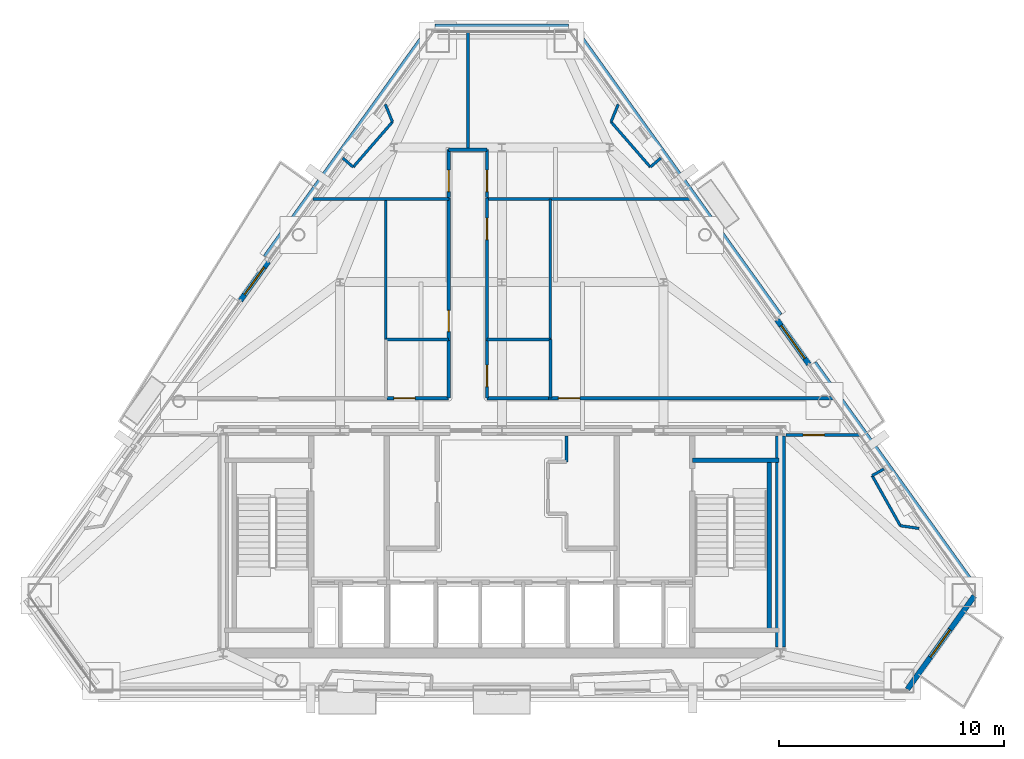
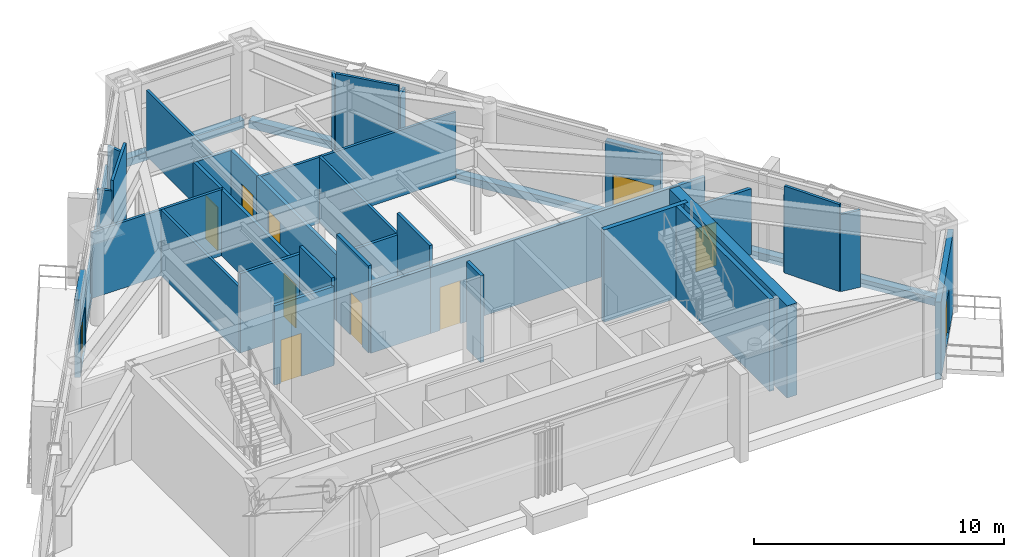
# One storey, part 8 of 11: 39 walls, 11 doors, 11 openings.
"""IFC4 building model written with IfcOpenShell, lengths in metres."""

from ifc_helpers import new_model, si_unit, direction, frame, frame_2d, origin, place, context, subcontext, project, spatial, rectangle, extrude, material, layer, layer_set, type_object, element, fill, save


model = new_model("IFC4")

# Units and contexts
model_context = context("Model", 3, precision=1e-05, world=origin(), true_north=direction((0.0, 1.0)))
body_context = subcontext(model_context, "Body", "Model", "MODEL_VIEW")
ifc_project = project(units=[si_unit("LENGTHUNIT", "METRE"), si_unit("AREAUNIT", "SQUARE_METRE"), si_unit("VOLUMEUNIT", "CUBIC_METRE"), si_unit("PLANEANGLEUNIT", "RADIAN"), si_unit("MASSUNIT", "GRAM", prefix="KILO")], contexts=[model_context])

# Site, building, storey
site_placement = place(None, origin())
site = spatial("IfcSite", under=ifc_project, at=site_placement, CompositionType="ELEMENT")
building_placement = place(site_placement, origin())
building = spatial("IfcBuilding", under=site, at=building_placement, Name="Talgorran Terracotta Tower", CompositionType="ELEMENT")
storey_placement = place(building_placement, frame((0.0, 0.0, 228.89990234375)))
storey = spatial("IfcBuildingStorey", under=building, at=storey_placement, Name="L60", CompositionType="ELEMENT", Elevation=228.89990234375)

# Wall, opening, door
ifc_material_1 = material(Name="Concrete C40/50", Category="concrete")
ifc_layer_1 = layer(ifc_material_1, 0.239990234375, Name="WT_BALCONY_SPAND")
ifc_layer_set_1 = layer_set([ifc_layer_1], Name="Concrete C40/50")
wall_type_1 = type_object("IfcWallType", Name="WT_BALCONY_SPAND", PredefinedType="STANDARD", material=ifc_layer_set_1)
wall_1_placement = place(storey_placement, frame((13.675048828125, -1.251953125, -0.014892578125), z_axis=(0.0, 0.0, 1.0), x_axis=(-0.583139062732, 0.812372349059, 0.0)))
wall_1 = element("IfcWall", 1, at=wall_1_placement, inside=storey, type_object=wall_type_1, Name="WL-L60-BALP-BAL-NE", PredefinedType="STANDARD", context=body_context, shape_type="SweptSolid", body=[
    extrude(rectangle(XDim=2.43994140625, YDim=0.239990234375, at=frame_2d((1.219970703125, 0.0))), origin(), (0.0, 0.0, 1.0), 3.778076171875),
])
opening_1_placement = place(wall_1_placement, frame((0.320068359375, 0.0, 0.014892578125)))
opening_1 = element("IfcOpeningElement", 2, at=opening_1_placement, cuts=wall_1, Name="Opening D-BAL-L60-1", PredefinedType="OPENING", context=body_context, shape_type="SweptSolid", body=[
    extrude(rectangle(XDim=1.806048828125, YDim=2.203951171875, at=frame_2d((0.89990234375, 1.10205078125))), frame((0.0, 0.1298828125, 0.0), z_axis=(0.0, -1.0, 0.0), x_axis=(1.0, 0.0, 0.0)), (0.0, 0.0, 1.0), 0.260009765625),
])
ifc_material_2 = material(Name="Thermally Broken Aluminium", Category="aluminium")
door_type_1 = type_object("IfcDoorType", Name="DT_BALC_1800", OperationType="SLIDING_TO_LEFT", PredefinedType="DOOR", material=ifc_material_2)
door_1_placement = place(opening_1_placement, origin())
door_1 = element("IfcDoor", 3, at=door_1_placement, inside=storey, type_object=door_type_1, Name="DR-L60-BAL-BAL-NE", OperationType="SLIDING_TO_LEFT", OverallHeight=2.199951171875, OverallWidth=1.800048828125, PredefinedType="DOOR", context=body_context, shape_type="SweptSolid", body=[
    extrude(rectangle(XDim=1.800048828125, YDim=2.199951171875, at=frame_2d((0.89990234375, 1.10009765625))), frame((0.0, 0.02490234375, 0.0), z_axis=(0.0, -1.0, 0.0), x_axis=(1.0, 0.0, 0.0)), (0.0, 0.0, 1.0), 0.050048828125),
])
fill(opening_1, door_1)

wall_2_placement = place(storey_placement, frame((-10.3896484375, 3.3251953125, -0.014892578125), z_axis=(0.0, 0.0, 1.0), x_axis=(-0.583092889468, -0.812405491274, 0.0)))
wall_2 = element("IfcWall", 4, at=wall_2_placement, inside=storey, type_object=wall_type_1, Name="WL-L60-BALP-BAL-NW", PredefinedType="STANDARD", context=body_context, shape_type="SweptSolid", body=[
    extrude(rectangle(XDim=2.139892578125, YDim=0.239990234375, at=frame_2d((1.06982421875, 0.0))), origin(), (0.0, 0.0, 1.0), 3.778076171875),
])
opening_2_placement = place(wall_2_placement, frame((0.320068359375, 0.0, 0.014892578125)))
opening_2 = element("IfcOpeningElement", 5, at=opening_2_placement, cuts=wall_2, Name="Opening D-BAL-L60-2", PredefinedType="OPENING", context=body_context, shape_type="SweptSolid", body=[
    extrude(rectangle(XDim=1.506, YDim=2.203951171875, at=frame_2d((0.75, 1.10205078125))), frame((0.0, 0.1298828125, 0.0), z_axis=(0.0, -1.0, 0.0), x_axis=(1.0, 0.0, 0.0)), (0.0, 0.0, 1.0), 0.260009765625),
])
door_type_2 = type_object("IfcDoorType", Name="DT_BALC_1500", OperationType="SLIDING_TO_RIGHT", PredefinedType="DOOR", material=ifc_material_2)
door_2_placement = place(opening_2_placement, origin())
door_2 = element("IfcDoor", 6, at=door_2_placement, inside=storey, type_object=door_type_2, Name="DR-L60-BAL-BAL-NW", OperationType="SLIDING_TO_RIGHT", OverallHeight=2.199951171875, OverallWidth=1.5, PredefinedType="DOOR", context=body_context, shape_type="SweptSolid", body=[
    extrude(rectangle(XDim=1.5, YDim=2.199951171875, at=frame_2d((0.75, 1.10009765625))), frame((0.0, 0.02490234375, 0.0), z_axis=(0.0, -1.0, 0.0), x_axis=(1.0, 0.0, 0.0)), (0.0, 0.0, 1.0), 0.050048828125),
])
fill(opening_2, door_2)

wall_3_placement = place(storey_placement, frame((18.05859375, -15.7197265625, -0.014892578125), z_axis=(0.0, 0.0, 1.0), x_axis=(0.583136392473, 0.812374265824, 0.0)))
wall_3 = element("IfcWall", 7, at=wall_3_placement, inside=storey, type_object=wall_type_1, Name="WL-L60-BALP-BAL-SE", PredefinedType="STANDARD", context=body_context, shape_type="SweptSolid", body=[
    extrude(rectangle(XDim=5.105712890625, YDim=0.239990234375, at=frame_2d((2.552734375, 0.0))), origin(), (0.0, 0.0, 1.0), 3.778076171875),
])
opening_3_placement = place(wall_3_placement, frame((1.7587890625, 0.0, 0.014892578125)))
opening_3 = element("IfcOpeningElement", 8, at=opening_3_placement, cuts=wall_3, Name="Opening D-BAL-L60-3", PredefinedType="OPENING", context=body_context, shape_type="SweptSolid", body=[
    extrude(rectangle(XDim=1.506, YDim=2.203951171875, at=frame_2d((0.75, 1.10205078125))), frame((0.0, 0.1298828125, 0.0), z_axis=(0.0, -1.0, 0.0), x_axis=(1.0, 0.0, 0.0)), (0.0, 0.0, 1.0), 0.260009765625),
])
door_3_placement = place(opening_3_placement, origin())
door_3 = element("IfcDoor", 9, at=door_3_placement, inside=storey, type_object=door_type_2, Name="DR-L60-BAL-BAL-SE", OperationType="SLIDING_TO_RIGHT", OverallHeight=2.199951171875, OverallWidth=1.5, PredefinedType="DOOR", context=body_context, shape_type="SweptSolid", body=[
    extrude(rectangle(XDim=1.5, YDim=2.199951171875, at=frame_2d((0.75, 1.10009765625))), frame((0.0, 0.02490234375, 0.0), z_axis=(0.0, -1.0, 0.0), x_axis=(1.0, 0.0, 0.0)), (0.0, 0.0, 1.0), 0.050048828125),
])
fill(opening_3, door_3)

# Walls
ifc_material_3 = material(Name="Concrete C50/60", Category="concrete")
ifc_layer_2 = layer(ifc_material_3, 0.199951171875, Name="WT_CORE_200")
ifc_layer_set_2 = layer_set([ifc_layer_2], Name="Concrete C50/60")
wall_type_2 = type_object("IfcWallType", Name="WT_CORE_200", PredefinedType="SOLIDWALL", material=ifc_layer_set_2)
wall_4_placement = place(storey_placement, frame((8.47998046875, -5.52001953125, 0.0), z_axis=(0.0, 0.0, 1.0), x_axis=(1.0, 0.0, 0.0)))
element("IfcWall", 10, at=wall_4_placement, inside=storey, type_object=wall_type_2, Name="WL-L60-CW-ST2-N", PredefinedType="SOLIDWALL", context=body_context, shape_type="SweptSolid", body=[
    extrude(rectangle(XDim=3.8701171875, YDim=0.199951171875, at=frame_2d((1.93505859375, 0.0))), origin(), (0.0, 0.0, 1.0), 4.5),
])
wall_5_placement = place(storey_placement, frame((11.89990234375, -13.10009765625, 0.0), z_axis=(0.0, 0.0, 1.0), x_axis=(0.0, 1.0, 0.0)))
element("IfcWall", 11, at=wall_5_placement, inside=storey, type_object=wall_type_2, Name="WL-L60-CW-ST2-E", PredefinedType="SOLIDWALL", context=body_context, shape_type="SweptSolid", body=[
    extrude(rectangle(XDim=7.580078125, YDim=0.199951171875, at=frame_2d((3.7900390625, 0.0))), origin(), (0.0, 0.0, 1.0), 4.5),
])
ifc_material_4 = material(Name="Concrete C65/80", Category="concrete")
ifc_layer_3 = layer(ifc_material_4, 0.449951171875, Name="WT_CORE_EXT")
ifc_layer_set_3 = layer_set([ifc_layer_3], Name="Concrete C65/80")
wall_type_3 = type_object("IfcWallType", Name="WT_CORE_EXT", PredefinedType="SHEAR", material=ifc_layer_set_3)
wall_6_placement = place(storey_placement, frame((12.39990234375, -13.85009765625, 0.0), z_axis=(0.0, 0.0, 1.0), x_axis=(0.0, 1.0, 0.0)))
element("IfcWall", 12, at=wall_6_placement, inside=storey, type_object=wall_type_3, Name="WL-L60-CW-OUT-E", PredefinedType="SHEAR", context=body_context, shape_type="SweptSolid", body=[
    extrude(rectangle(XDim=9.400146484375, YDim=0.449951171875, at=frame_2d((4.7001953125, 0.0))), origin(), (0.0, 0.0, 1.0), 4.5),
])
ifc_material_5 = material(Name="Fire-Rated Steel Stud Plasterboard", Category="steel")
ifc_layer_4 = layer(ifc_material_5, 0.14990234375, Name="WT_FIRE_150")
ifc_layer_set_4 = layer_set([ifc_layer_4], Name="Fire-Rated Steel Stud Plasterboard")
wall_type_4 = type_object("IfcWallType", Name="WT_FIRE_150", PredefinedType="PARTITIONING", material=ifc_layer_set_4)
wall_7_placement = place(storey_placement, frame((2.8798828125, -5.60009765625, 0.0), z_axis=(0.0, 0.0, 1.0), x_axis=(0.0, 1.0, 0.0)))
element("IfcWall", 13, at=wall_7_placement, inside=storey, type_object=wall_type_4, Name="WL-L60-CW-V-E3E", PredefinedType="PARTITIONING", context=body_context, shape_type="SweptSolid", body=[
    extrude(rectangle(XDim=1.150146484375, YDim=0.14990234375, at=frame_2d((0.5751953125, 0.0))), origin(), (0.0, 0.0, 1.0), 4.2451171875),
])

# Wall, opening, door
wall_8_placement = place(storey_placement, frame((2.080078125, -2.760009765625, 0.0), z_axis=(0.0, 0.0, 1.0), x_axis=(1.0, 0.0, 0.0)))
wall_8 = element("IfcWall", 14, at=wall_8_placement, inside=storey, type_object=wall_type_4, Name="WL-L60-W-L60-R09", PredefinedType="PARTITIONING", context=body_context, shape_type="SweptSolid", body=[
    extrude(rectangle(XDim=12.67724609375, YDim=0.14990234375, at=frame_2d((6.338623046875, 0.0))), origin(), (0.0, 0.0, 1.0), 3.22021484375),
])
opening_4_placement = place(wall_8_placement, frame((0.439697265625, 0.0, 0.0)))
opening_4 = element("IfcOpeningElement", 15, at=opening_4_placement, cuts=wall_8, Name="Opening DR-L60-R07", PredefinedType="OPENING", context=body_context, shape_type="SweptSolid", body=[
    extrude(rectangle(XDim=0.955951171875, YDim=2.10409765625, at=frame_2d((0.47509765625, 1.052001953125))), frame((0.0, 0.0849609375, 0.0), z_axis=(0.0, -1.0, 0.0), x_axis=(1.0, 0.0, 0.0)), (0.0, 0.0, 1.0), 0.169921875),
])
ifc_material_6 = material(Name="Fire-Rated Timber Core", Category="wood")
door_type_3 = type_object("IfcDoorType", Name="DT_FIRE_950", OperationType="NOTDEFINED", PredefinedType="DOOR", material=ifc_material_6)
door_4_placement = place(opening_4_placement, origin())
door_4 = element("IfcDoor", 16, at=door_4_placement, inside=storey, type_object=door_type_3, Name="DR-L60-R07", OperationType="SINGLE_SWING_LEFT", OverallHeight=2.10009765625, OverallWidth=0.949951171875, PredefinedType="DOOR", context=body_context, shape_type="SweptSolid", body=[
    extrude(rectangle(XDim=0.949951171875, YDim=2.10009765625, at=frame_2d((0.47509765625, 1.050048828125))), frame((0.0, 0.02490234375, 0.0), z_axis=(0.0, -1.0, 0.0), x_axis=(1.0, 0.0, 0.0)), (0.0, 0.0, 1.0), 0.050048828125),
])
fill(opening_4, door_4)

wall_9_placement = place(storey_placement, frame((-2.360107421875, -0.199951171875, 0.0), z_axis=(0.0, 0.0, 1.0), x_axis=(0.0, 1.0, 0.0)))
wall_9 = element("IfcWall", 17, at=wall_9_placement, inside=storey, type_object=wall_type_4, Name="WL-L60-W-L60-R08", PredefinedType="PARTITIONING", context=body_context, shape_type="SweptSolid", body=[
    extrude(rectangle(XDim=6.35986328125, YDim=0.14990234375, at=frame_2d((3.179931640625, 0.0))), origin(), (0.0, 0.0, 1.0), 3.22021484375),
])
opening_5_placement = place(wall_9_placement, frame((0.3984375, 0.0, 0.0)))
opening_5 = element("IfcOpeningElement", 18, at=opening_5_placement, cuts=wall_9, Name="Opening DR-L60-R06", PredefinedType="OPENING", context=body_context, shape_type="SweptSolid", body=[
    extrude(rectangle(XDim=0.955951171875, YDim=2.10409765625, at=frame_2d((0.47509765625, 1.052001953125))), frame((0.0, 0.0849609375, 0.0), z_axis=(0.0, -1.0, 0.0), x_axis=(1.0, 0.0, 0.0)), (0.0, 0.0, 1.0), 0.169921875),
])
door_5_placement = place(opening_5_placement, origin())
door_5 = element("IfcDoor", 19, at=door_5_placement, inside=storey, type_object=door_type_3, Name="DR-L60-R06", OperationType="SINGLE_SWING_RIGHT", OverallHeight=2.10009765625, OverallWidth=0.949951171875, PredefinedType="DOOR", context=body_context, shape_type="SweptSolid", body=[
    extrude(rectangle(XDim=0.949951171875, YDim=2.10009765625, at=frame_2d((0.47509765625, 1.050048828125))), frame((0.0, 0.02490234375, 0.0), z_axis=(0.0, -1.0, 0.0), x_axis=(1.0, 0.0, 0.0)), (0.0, 0.0, 1.0), 0.050048828125),
])
fill(opening_5, door_5)

wall_10_placement = place(storey_placement, frame((-0.659912109375, -0.199951171875, 0.0), z_axis=(0.0, 0.0, 1.0), x_axis=(0.0, 1.0, 0.0)))
wall_10 = element("IfcWall", 20, at=wall_10_placement, inside=storey, type_object=wall_type_4, Name="WL-L60-W-L60-R10", PredefinedType="PARTITIONING", context=body_context, shape_type="SweptSolid", body=[
    extrude(rectangle(XDim=6.35986328125, YDim=0.14990234375, at=frame_2d((3.179931640625, 0.0))), origin(), (0.0, 0.0, 1.0), 3.22021484375),
])
opening_6_placement = place(wall_10_placement, frame((4.49462890625, 0.0, 0.0)))
opening_6 = element("IfcOpeningElement", 21, at=opening_6_placement, cuts=wall_10, Name="Opening DR-L60-R08", PredefinedType="OPENING", context=body_context, shape_type="SweptSolid", body=[
    extrude(rectangle(XDim=0.955951171875, YDim=2.10409765625, at=frame_2d((0.47509765625, 1.052001953125))), frame((0.0, 0.0849609375, 0.0), z_axis=(0.0, -1.0, 0.0), x_axis=(1.0, 0.0, 0.0)), (0.0, 0.0, 1.0), 0.169921875),
])
door_6_placement = place(opening_6_placement, origin())
door_6 = element("IfcDoor", 22, at=door_6_placement, inside=storey, type_object=door_type_3, Name="DR-L60-R08", OperationType="SINGLE_SWING_RIGHT", OverallHeight=2.10009765625, OverallWidth=0.949951171875, PredefinedType="DOOR", context=body_context, shape_type="SweptSolid", body=[
    extrude(rectangle(XDim=0.949951171875, YDim=2.10009765625, at=frame_2d((0.47509765625, 1.050048828125))), frame((0.0, 0.02490234375, 0.0), z_axis=(0.0, -1.0, 0.0), x_axis=(1.0, 0.0, 0.0)), (0.0, 0.0, 1.0), 0.050048828125),
])
fill(opening_6, door_6)

wall_11_placement = place(storey_placement, frame((12.652099609375, -4.39990234375, 0.0), z_axis=(0.0, 0.0, 1.0), x_axis=(1.0, 0.0, 0.0)))
wall_11 = element("IfcWall", 23, at=wall_11_placement, inside=storey, type_object=wall_type_4, Name="WL-L60-W-L60-R02", PredefinedType="PARTITIONING", context=body_context, shape_type="SweptSolid", body=[
    extrude(rectangle(XDim=3.282470703125, YDim=0.14990234375, at=frame_2d((1.64111328125, 0.0))), origin(), (0.0, 0.0, 1.0), 3.22021484375),
])
opening_7_placement = place(wall_11_placement, frame((0.763427734375, 0.0, 0.0)))
opening_7 = element("IfcOpeningElement", 24, at=opening_7_placement, cuts=wall_11, Name="Opening DR-L60-R02", PredefinedType="OPENING", context=body_context, shape_type="SweptSolid", body=[
    extrude(rectangle(XDim=0.955951171875, YDim=2.10409765625, at=frame_2d((0.47509765625, 1.052001953125))), frame((0.0, 0.0849609375, 0.0), z_axis=(0.0, -1.0, 0.0), x_axis=(1.0, 0.0, 0.0)), (0.0, 0.0, 1.0), 0.169921875),
])
door_7_placement = place(opening_7_placement, origin())
door_7 = element("IfcDoor", 25, at=door_7_placement, inside=storey, type_object=door_type_3, Name="DR-L60-R02", OperationType="SINGLE_SWING_RIGHT", OverallHeight=2.10009765625, OverallWidth=0.949951171875, PredefinedType="DOOR", context=body_context, shape_type="SweptSolid", body=[
    extrude(rectangle(XDim=0.949951171875, YDim=2.10009765625, at=frame_2d((0.47509765625, 1.050048828125))), frame((0.0, 0.02490234375, 0.0), z_axis=(0.0, -1.0, 0.0), x_axis=(1.0, 0.0, 0.0)), (0.0, 0.0, 1.0), 0.050048828125),
])
fill(opening_7, door_7)

# Wall
wall_12_placement = place(storey_placement, frame((-0.659912109375, -2.760009765625, 0.0), z_axis=(0.0, 0.0, 1.0), x_axis=(1.0, 0.0, 0.0)))
element("IfcWall", 26, at=wall_12_placement, inside=storey, type_object=wall_type_4, Name="WL-L60-W-L60-R04", PredefinedType="PARTITIONING", context=body_context, shape_type="SweptSolid", body=[
    extrude(rectangle(XDim=2.73779296875, YDim=0.14990234375, at=frame_2d((1.368896484375, 0.0))), origin(), (0.0, 0.0, 1.0), 3.22021484375),
])

# Wall, opening, door
wall_13_placement = place(storey_placement, frame((-5.097900390625, -2.760009765625, 0.0), z_axis=(0.0, 0.0, 1.0), x_axis=(1.0, 0.0, 0.0)))
wall_13 = element("IfcWall", 27, at=wall_13_placement, inside=storey, type_object=wall_type_4, Name="WL-L60-W-L60-R05", PredefinedType="PARTITIONING", context=body_context, shape_type="SweptSolid", body=[
    extrude(rectangle(XDim=2.73779296875, YDim=0.14990234375, at=frame_2d((1.368896484375, 0.0))), origin(), (0.0, 0.0, 1.0), 3.864501953125),
])
opening_8_placement = place(wall_13_placement, frame((0.29296875, 0.0, 0.0)))
opening_8 = element("IfcOpeningElement", 28, at=opening_8_placement, cuts=wall_13, Name="Opening DR-L60-R04", PredefinedType="OPENING", context=body_context, shape_type="SweptSolid", body=[
    extrude(rectangle(XDim=0.955951171875, YDim=2.10409765625, at=frame_2d((0.47509765625, 1.052001953125))), frame((0.0, 0.0849609375, 0.0), z_axis=(0.0, -1.0, 0.0), x_axis=(1.0, 0.0, 0.0)), (0.0, 0.0, 1.0), 0.169921875),
])
door_8_placement = place(opening_8_placement, origin())
door_8 = element("IfcDoor", 29, at=door_8_placement, inside=storey, type_object=door_type_3, Name="DR-L60-R04", OperationType="SINGLE_SWING_RIGHT", OverallHeight=2.10009765625, OverallWidth=0.949951171875, PredefinedType="DOOR", context=body_context, shape_type="SweptSolid", body=[
    extrude(rectangle(XDim=0.949951171875, YDim=2.10009765625, at=frame_2d((0.47509765625, 1.050048828125))), frame((0.0, 0.02490234375, 0.0), z_axis=(0.0, -1.0, 0.0), x_axis=(1.0, 0.0, 0.0)), (0.0, 0.0, 1.0), 0.050048828125),
])
fill(opening_8, door_8)

wall_14_placement = place(storey_placement, frame((-0.659912109375, -2.760009765625, 0.0), z_axis=(0.0, 0.0, 1.0), x_axis=(0.0, 1.0, 0.0)))
wall_14 = element("IfcWall", 30, at=wall_14_placement, inside=storey, type_object=wall_type_4, Name="WL-L60-W-L60-R03", PredefinedType="PARTITIONING", context=body_context, shape_type="SweptSolid", body=[
    extrude(rectangle(XDim=2.55810546875, YDim=0.14990234375, at=frame_2d((1.279052734375, 0.0))), origin(), (0.0, 0.0, 1.0), 4.2451171875),
])
opening_9_placement = place(wall_14_placement, frame((0.51220703125, 0.0, 0.0)))
opening_9 = element("IfcOpeningElement", 31, at=opening_9_placement, cuts=wall_14, Name="Opening DR-L60-R03", PredefinedType="OPENING", context=body_context, shape_type="SweptSolid", body=[
    extrude(rectangle(XDim=0.955951171875, YDim=2.10409765625, at=frame_2d((0.47509765625, 1.052001953125))), frame((0.0, 0.0849609375, 0.0), z_axis=(0.0, -1.0, 0.0), x_axis=(1.0, 0.0, 0.0)), (0.0, 0.0, 1.0), 0.169921875),
])
door_9_placement = place(opening_9_placement, origin())
door_9 = element("IfcDoor", 32, at=door_9_placement, inside=storey, type_object=door_type_3, Name="DR-L60-R03", OperationType="SINGLE_SWING_LEFT", OverallHeight=2.10009765625, OverallWidth=0.949951171875, PredefinedType="DOOR", context=body_context, shape_type="SweptSolid", body=[
    extrude(rectangle(XDim=0.949951171875, YDim=2.10009765625, at=frame_2d((0.47509765625, 1.050048828125))), frame((0.0, 0.02490234375, 0.0), z_axis=(0.0, -1.0, 0.0), x_axis=(1.0, 0.0, 0.0)), (0.0, 0.0, 1.0), 0.050048828125),
])
fill(opening_9, door_9)

# Wall
wall_15_placement = place(storey_placement, frame((-2.360107421875, -2.760009765625, 0.0), z_axis=(0.0, 0.0, 1.0), x_axis=(0.0, 1.0, 0.0)))
element("IfcWall", 33, at=wall_15_placement, inside=storey, type_object=wall_type_4, Name="WL-L60-W-L60-R06", PredefinedType="PARTITIONING", context=body_context, shape_type="SweptSolid", body=[
    extrude(rectangle(XDim=2.55810546875, YDim=0.14990234375, at=frame_2d((1.279052734375, 0.0))), origin(), (0.0, 0.0, 1.0), 4.2451171875),
])

# Wall, opening, door
wall_16_placement = place(storey_placement, frame((-2.360107421875, 6.162109375, 0.0), z_axis=(0.0, 0.0, 1.0), x_axis=(0.0, 1.0, 0.0)))
wall_16 = element("IfcWall", 34, at=wall_16_placement, inside=storey, type_object=wall_type_4, Name="WL-L60-W-L60-R11", PredefinedType="PARTITIONING", context=body_context, shape_type="SweptSolid", body=[
    extrude(rectangle(XDim=2.137939453125, YDim=0.14990234375, at=frame_2d((1.06884765625, 0.0))), origin(), (0.0, 0.0, 1.0), 3.22021484375),
])
opening_10_placement = place(wall_16_placement, frame((0.275390625, 0.0, 0.0)))
opening_10 = element("IfcOpeningElement", 35, at=opening_10_placement, cuts=wall_16, Name="Opening DR-L60-R09", PredefinedType="OPENING", context=body_context, shape_type="SweptSolid", body=[
    extrude(rectangle(XDim=0.955951171875, YDim=2.10409765625, at=frame_2d((0.47509765625, 1.052001953125))), frame((0.0, 0.0849609375, 0.0), z_axis=(0.0, -1.0, 0.0), x_axis=(1.0, 0.0, 0.0)), (0.0, 0.0, 1.0), 0.169921875),
])
door_10_placement = place(opening_10_placement, origin())
door_10 = element("IfcDoor", 36, at=door_10_placement, inside=storey, type_object=door_type_3, Name="DR-L60-R09", OperationType="SINGLE_SWING_LEFT", OverallHeight=2.10009765625, OverallWidth=0.949951171875, PredefinedType="DOOR", context=body_context, shape_type="SweptSolid", body=[
    extrude(rectangle(XDim=0.949951171875, YDim=2.10009765625, at=frame_2d((0.47509765625, 1.050048828125))), frame((0.0, 0.02490234375, 0.0), z_axis=(0.0, -1.0, 0.0), x_axis=(1.0, 0.0, 0.0)), (0.0, 0.0, 1.0), 0.050048828125),
])
fill(opening_10, door_10)

wall_17_placement = place(storey_placement, frame((-0.659912109375, 6.162109375, 0.0), z_axis=(0.0, 0.0, 1.0), x_axis=(0.0, 1.0, 0.0)))
wall_17 = element("IfcWall", 37, at=wall_17_placement, inside=storey, type_object=wall_type_4, Name="WL-L60-W-L60-R14", PredefinedType="PARTITIONING", context=body_context, shape_type="SweptSolid", body=[
    extrude(rectangle(XDim=2.137939453125, YDim=0.14990234375, at=frame_2d((1.06884765625, 0.0))), origin(), (0.0, 0.0, 1.0), 3.22021484375),
])
opening_11_placement = place(wall_17_placement, frame((0.275390625, 0.0, 0.0)))
opening_11 = element("IfcOpeningElement", 38, at=opening_11_placement, cuts=wall_17, Name="Opening DR-L60-R10", PredefinedType="OPENING", context=body_context, shape_type="SweptSolid", body=[
    extrude(rectangle(XDim=0.955951171875, YDim=2.10409765625, at=frame_2d((0.47509765625, 1.052001953125))), frame((0.0, 0.0849609375, 0.0), z_axis=(0.0, -1.0, 0.0), x_axis=(1.0, 0.0, 0.0)), (0.0, 0.0, 1.0), 0.169921875),
])
door_11_placement = place(opening_11_placement, origin())
door_11 = element("IfcDoor", 39, at=door_11_placement, inside=storey, type_object=door_type_3, Name="DR-L60-R10", OperationType="SINGLE_SWING_RIGHT", OverallHeight=2.10009765625, OverallWidth=0.949951171875, PredefinedType="DOOR", context=body_context, shape_type="SweptSolid", body=[
    extrude(rectangle(XDim=0.949951171875, YDim=2.10009765625, at=frame_2d((0.47509765625, 1.050048828125))), frame((0.0, 0.02490234375, 0.0), z_axis=(0.0, -1.0, 0.0), x_axis=(1.0, 0.0, 0.0)), (0.0, 0.0, 1.0), 0.050048828125),
])
fill(opening_11, door_11)

# Walls
wall_18_placement = place(storey_placement, frame((-2.360107421875, 8.300048828125, 0.0), z_axis=(0.0, 0.0, 1.0), x_axis=(1.0, 0.0, 0.0)))
element("IfcWall", 40, at=wall_18_placement, inside=storey, type_object=wall_type_4, Name="WL-L60-W-L60-R12", PredefinedType="PARTITIONING", context=body_context, shape_type="SweptSolid", body=[
    extrude(rectangle(XDim=1.7001953125, YDim=0.14990234375, at=frame_2d((0.85009765625, 0.0))), origin(), (0.0, 0.0, 1.0), 3.22021484375),
])
ifc_layer_5 = layer(ifc_material_1, 0.219970703125, Name="WT_PARAPET_RC")
ifc_layer_set_5 = layer_set([ifc_layer_5], Name="Concrete C40/50")
wall_type_5 = type_object("IfcWallType", Name="WT_PARAPET_RC", PredefinedType="PARAPET", material=ifc_layer_set_5)
wall_19_placement = place(storey_placement, frame((21.119140625, -11.348876953125, -0.199951171875), z_axis=(0.0, 0.0, 1.0), x_axis=(-0.583115229509, 0.81238945655, 0.0)))
element("IfcWall", 41, at=wall_19_placement, inside=storey, type_object=wall_type_5, Name="L60 Striped Portal Precast Cornice F40", PredefinedType="PARAPET", context=body_context, shape_type="SweptSolid", body=[
    extrude(rectangle(XDim=12.453369140625, YDim=0.360107421875, at=frame_2d((6.2265625, 0.0))), origin(), (0.0, 0.0, 1.0), 0.380126953125),
])
wall_20_placement = place(storey_placement, frame((12.32958984375, 0.896484375, -0.199951171875), z_axis=(0.0, 0.0, 1.0), x_axis=(-0.583103601817, 0.812397802526, 0.0)))
element("IfcWall", 42, at=wall_20_placement, inside=storey, type_object=wall_type_5, Name="L60 Striped Portal Precast Cornice F41", PredefinedType="PARAPET", context=body_context, shape_type="SweptSolid", body=[
    extrude(rectangle(XDim=15.573974609375, YDim=0.360107421875, at=frame_2d((7.787109375, 0.0))), origin(), (0.0, 0.0, 1.0), 0.380126953125),
])
wall_21_placement = place(storey_placement, frame((2.96826171875, 13.712890625, -0.199951171875), z_axis=(0.0, 0.0, 1.0), x_axis=(-1.0, 0.0, 0.0)))
element("IfcWall", 43, at=wall_21_placement, inside=storey, type_object=wall_type_5, Name="L60 Striped Portal Precast Cornice F4", PredefinedType="PARAPET", context=body_context, shape_type="SweptSolid", body=[
    extrude(rectangle(XDim=5.9365234375, YDim=0.360107421875, at=frame_2d((2.96826171875, 0.0))), origin(), (0.0, 0.0, 1.0), 0.380126953125),
])
wall_22_placement = place(storey_placement, frame((-3.248291015625, 13.548828125, -0.199951171875), z_axis=(0.0, 0.0, 1.0), x_axis=(-0.583104007924, -0.81239751104, 0.0)))
element("IfcWall", 44, at=wall_22_placement, inside=storey, type_object=wall_type_5, Name="L60 Striped Portal Precast Cornice F60", PredefinedType="PARAPET", context=body_context, shape_type="SweptSolid", body=[
    extrude(rectangle(XDim=12.3798828125, YDim=0.360107421875, at=frame_2d((6.18994140625, 0.0))), origin(), (0.0, 0.0, 1.0), 0.380126953125),
])
ifc_material_7 = material(Name="Insulated Steel Stud Plasterboard", Category="steel")
ifc_layer_6 = layer(ifc_material_7, 0.1201171875, Name="WT_PART_120")
ifc_layer_set_6 = layer_set([ifc_layer_6], Name="Insulated Steel Stud Plasterboard")
wall_type_6 = type_object("IfcWallType", Name="WT_PART_120", PredefinedType="PARTITIONING", material=ifc_layer_set_6)
for number, where, z_axis, x_axis, name in (
    (45, (-5.159912109375, -0.199951171875, 0.0), (0.0, 0.0, 1.0), (0.0, 1.0, 0.0), "WL-L60-W-L60-R19"),
    (46, (2.159912109375, -0.199951171875, 0.0), (0.0, 0.0, 1.0), (0.0, 1.0, 0.0), "WL-L60-W-L60-R22"),
):
    element("IfcWall", number, at=place(storey_placement, frame(where, z_axis=z_axis, x_axis=x_axis)), inside=storey, type_object=wall_type_6, Name=name, PredefinedType="PARTITIONING", context=body_context, shape_type="SweptSolid", body=[
        extrude(rectangle(XDim=6.300048828125, YDim=0.1201171875, at=frame_2d((3.14990234375, 0.0))), origin(), (0.0, 0.0, 1.0), 3.22021484375),
    ])
wall_23_placement = place(storey_placement, frame((-0.659912109375, 6.10009765625, 0.0), z_axis=(0.0, 0.0, 1.0), x_axis=(1.0, 0.0, 0.0)))
element("IfcWall", 47, at=wall_23_placement, inside=storey, type_object=wall_type_6, Name="WL-L60-W-L60-R23", PredefinedType="PARTITIONING", context=body_context, shape_type="SweptSolid", body=[
    extrude(rectangle(XDim=9.057861328125, YDim=0.1201171875, at=frame_2d((4.52880859375, 0.0))), origin(), (0.0, 0.0, 1.0), 3.22021484375),
])
wall_24_placement = place(storey_placement, frame((-1.5, 8.300048828125, 0.0), z_axis=(0.0, 0.0, 1.0), x_axis=(0.0, 1.0, 0.0)))
element("IfcWall", 48, at=wall_24_placement, inside=storey, type_object=wall_type_6, Name="WL-L60-W-L60-R25", PredefinedType="PARTITIONING", context=body_context, shape_type="SweptSolid", body=[
    extrude(rectangle(XDim=5.2529296875, YDim=0.1201171875, at=frame_2d((2.62646484375, 0.0))), origin(), (0.0, 0.0, 1.0), 3.22021484375),
])
wall_25_placement = place(storey_placement, frame((-8.39794921875, 6.10009765625, 0.0), z_axis=(0.0, 0.0, 1.0), x_axis=(1.0, 0.0, 0.0)))
element("IfcWall", 49, at=wall_25_placement, inside=storey, type_object=wall_type_6, Name="WL-L60-W-L60-R20", PredefinedType="PARTITIONING", context=body_context, shape_type="SweptSolid", body=[
    extrude(rectangle(XDim=6.037841796875, YDim=0.1201171875, at=frame_2d((3.01904296875, 0.0))), origin(), (0.0, 0.0, 1.0), 3.22021484375),
])
for number, where, z_axis, x_axis, name in (
    (50, (-4.865478515625, 9.536865234375, 0.0), (0.0, 0.0, 1.0), (-0.656083508216, -0.754688300059, 0.0), "WL-L60-BW-L60-14"),
    (51, (6.614990234375, 7.5244140625, 0.0), (0.0, 0.0, 1.0), (-0.656083508216, 0.754688300059, 0.0), "WL-L60-BW-L60-17"),
):
    element("IfcWall", number, at=place(storey_placement, frame(where, z_axis=z_axis, x_axis=x_axis)), inside=storey, type_object=wall_type_6, Name=name, PredefinedType="PARTITIONING", context=body_context, shape_type="SweptSolid", body=[
        extrude(rectangle(XDim=2.66650390625, YDim=0.1201171875, at=frame_2d((1.333251953125, 0.0))), origin(), (0.0, 0.0, 1.0), 4.2451171875),
    ])
wall_26_placement = place(storey_placement, frame((17.74169921875, -8.438720703125, 0.0), z_axis=(0.0, 0.0, 1.0), x_axis=(-0.490329227995, 0.87153729018, 0.0)))
element("IfcWall", 52, at=wall_26_placement, inside=storey, type_object=wall_type_6, Name="WL-L60-BW-L60-12", PredefinedType="PARTITIONING", context=body_context, shape_type="SweptSolid", body=[
    extrude(rectangle(XDim=2.557373046875, YDim=0.1201171875, at=frame_2d((1.27880859375, 0.0))), origin(), (0.0, 0.0, 1.0), 4.2451171875),
])
wall_27_placement = place(storey_placement, frame((18.57861328125, -8.56201171875, 0.0), z_axis=(0.0, 0.0, 1.0), x_axis=(-0.989322448528, 0.145743242855, 0.0)))
element("IfcWall", 53, at=wall_27_placement, inside=storey, type_object=wall_type_6, Name="WL-L60-BW-L60-11", PredefinedType="PARTITIONING", context=body_context, shape_type="SweptSolid", body=[
    extrude(rectangle(XDim=0.845947265625, YDim=0.1201171875, at=frame_2d((0.4228515625, 0.0))), origin(), (0.0, 0.0, 1.0), 3.76318359375),
])
for number, where, z_axis, x_axis, name in (
    (54, (-5.18359375, 10.315185546875, 0.0), (0.0, 0.0, 1.0), (0.378338869407, -0.92566716475, 0.0), "WL-L60-BW-L60-13"),
    (55, (4.865478515625, 9.536865234375, 0.0), (0.0, 0.0, 1.0), (0.378338869407, 0.92566716475, 0.0), "WL-L60-BW-L60-18"),
):
    element("IfcWall", number, at=place(storey_placement, frame(where, z_axis=z_axis, x_axis=x_axis)), inside=storey, type_object=wall_type_6, Name=name, PredefinedType="PARTITIONING", context=body_context, shape_type="SweptSolid", body=[
        extrude(rectangle(XDim=0.8408203125, YDim=0.1201171875, at=frame_2d((0.42041015625, 0.0))), origin(), (0.0, 0.0, 1.0), 3.76318359375),
    ])
for number, where, z_axis, x_axis, name in (
    (56, (-6.614990234375, 7.5244140625, 0.0), (0.0, 0.0, 1.0), (-0.754777719291, 0.655980635737, 0.0), "WL-L60-BW-L60-15"),
    (57, (7.07568359375, 7.9248046875, 0.0), (0.0, 0.0, 1.0), (-0.754777719291, -0.655980635737, 0.0), "WL-L60-BW-L60-16"),
):
    element("IfcWall", number, at=place(storey_placement, frame(where, z_axis=z_axis, x_axis=x_axis)), inside=storey, type_object=wall_type_6, Name=name, PredefinedType="PARTITIONING", context=body_context, shape_type="SweptSolid", body=[
        extrude(rectangle(XDim=0.6103515625, YDim=0.1201171875, at=frame_2d((0.30517578125, 0.0))), origin(), (0.0, 0.0, 1.0), 3.76318359375),
    ])
wall_28_placement = place(storey_placement, frame((16.48779296875, -6.2099609375, 0.0), z_axis=(0.0, 0.0, 1.0), x_axis=(0.871532028392, 0.49033858046, 0.0)))
element("IfcWall", 58, at=wall_28_placement, inside=storey, type_object=wall_type_6, Name="WL-L60-BW-L60-10", PredefinedType="PARTITIONING", context=body_context, shape_type="SweptSolid", body=[
    extrude(rectangle(XDim=0.599365234375, YDim=0.1201171875, at=frame_2d((0.2998046875, 0.0))), origin(), (0.0, 0.0, 1.0), 3.76318359375),
])
ifc_material_8 = material(Name="Moisture-Resistant Stud Wall")
ifc_layer_7 = layer(ifc_material_8, 0.135009765625, Name="WT_PART_135")
ifc_layer_set_7 = layer_set([ifc_layer_7], Name="Moisture-Resistant Stud Wall")
wall_type_7 = type_object("IfcWallType", Name="WT_PART_135", PredefinedType="PARTITIONING", material=ifc_layer_set_7)
wall_29_placement = place(storey_placement, frame((-0.659912109375, -0.139892578125, 0.0), z_axis=(0.0, 0.0, 1.0), x_axis=(1.0, 0.0, 0.0)))
element("IfcWall", 59, at=wall_29_placement, inside=storey, type_object=wall_type_7, Name="WL-L60-W-L60-R16", PredefinedType="PARTITIONING", context=body_context, shape_type="SweptSolid", body=[
    extrude(rectangle(XDim=2.81982421875, YDim=0.135009765625, at=frame_2d((1.409912109375, 0.0))), origin(), (0.0, 0.0, 1.0), 3.22021484375),
])
wall_30_placement = place(storey_placement, frame((-5.159912109375, -0.139892578125, 0.0), z_axis=(0.0, 0.0, 1.0), x_axis=(1.0, 0.0, 0.0)))
element("IfcWall", 60, at=wall_30_placement, inside=storey, type_object=wall_type_7, Name="WL-L60-W-L60-R18", PredefinedType="PARTITIONING", context=body_context, shape_type="SweptSolid", body=[
    extrude(rectangle(XDim=2.7998046875, YDim=0.135009765625, at=frame_2d((1.39990234375, 0.0))), origin(), (0.0, 0.0, 1.0), 3.864501953125),
])
wall_31_placement = place(storey_placement, frame((2.159912109375, -2.760009765625, 0.0), z_axis=(0.0, 0.0, 1.0), x_axis=(0.0, 1.0, 0.0)))
element("IfcWall", 61, at=wall_31_placement, inside=storey, type_object=wall_type_7, Name="WL-L60-W-L60-R15", PredefinedType="PARTITIONING", context=body_context, shape_type="SweptSolid", body=[
    extrude(rectangle(XDim=2.6201171875, YDim=0.135009765625, at=frame_2d((1.31005859375, 0.0))), origin(), (0.0, 0.0, 1.0), 4.2451171875),
])

save(model, "model.ifc")
